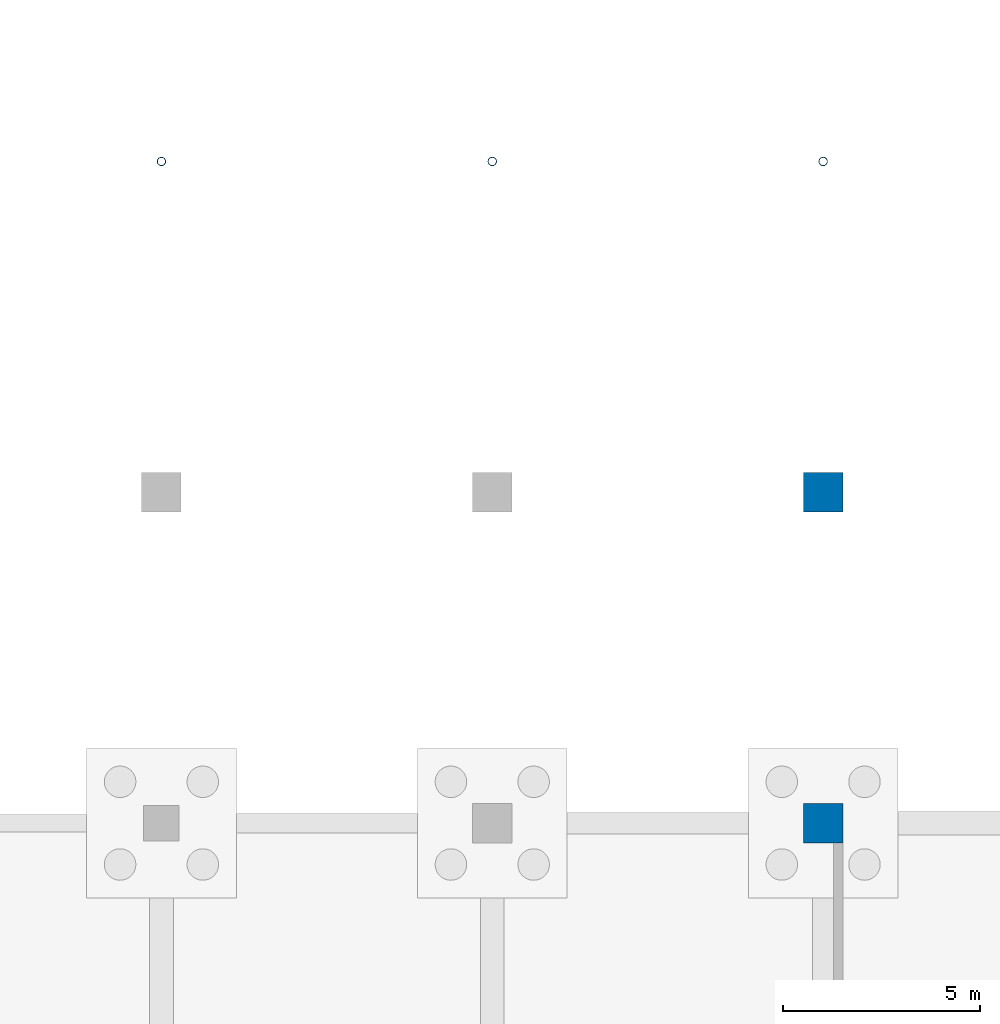
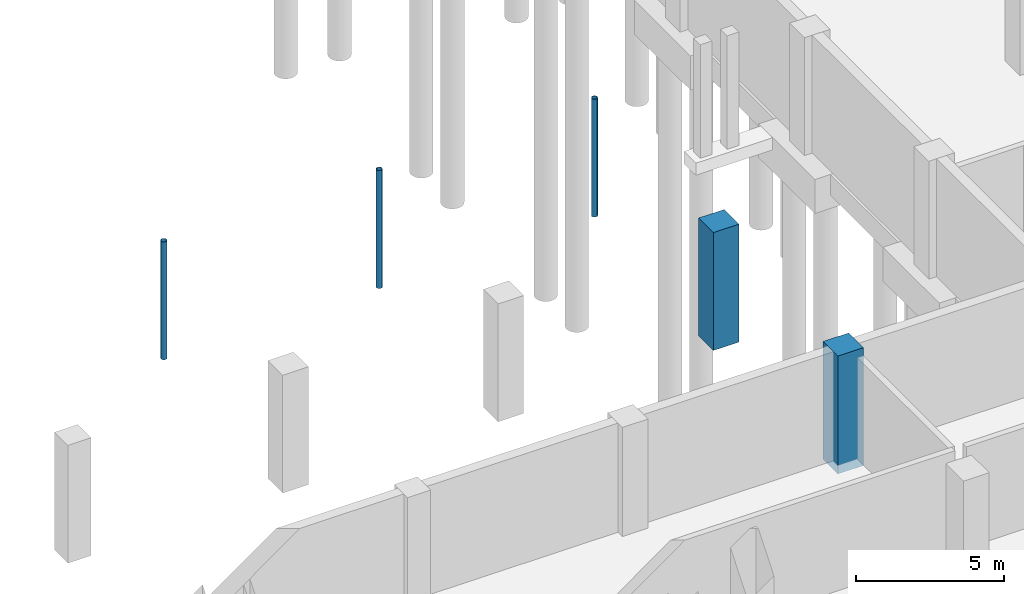
# One storey, part 17 of 39: 5 columns.
"""IFC4 building model written with IfcOpenShell, lengths in metres."""

from ifc_helpers import new_model, si_unit, derived_unit, direction, frame, origin, origin_2d, place, context, subcontext, project, spatial, rectangle, hollow_circle, extrude, material, material_profile, profile_set, type_object, element, save


model = new_model("IFC4")

# Units and contexts
model_context = context("Model", 3, precision=1e-05, world=origin(), true_north=direction((0.0, 1.0)))
body_context = subcontext(model_context, "Body", "Model", "MODEL_VIEW")
ifc_project = project(units=[si_unit("LENGTHUNIT", "METRE"), si_unit("AREAUNIT", "SQUARE_METRE"), si_unit("VOLUMEUNIT", "CUBIC_METRE"), si_unit("PLANEANGLEUNIT", "RADIAN"), si_unit("MASSUNIT", "GRAM", prefix="KILO"), derived_unit("THERMALTRANSMITTANCEUNIT", [(si_unit("POWERUNIT", "WATT"), 1), (si_unit("LENGTHUNIT", "METRE"), -2), (si_unit("THERMODYNAMICTEMPERATUREUNIT", "KELVIN"), -1)])], contexts=[model_context])

# Site, building, storey
site_placement = place(None, origin())
site = spatial("IfcSite", under=ifc_project, at=site_placement, CompositionType="ELEMENT")
building_placement = place(site_placement, origin())
building = spatial("IfcBuilding", under=site, at=building_placement, Name="Barrovel Congress Hotel", CompositionType="ELEMENT")
storey_placement = place(building_placement, frame((0.0, 0.0, -4.5)))
storey = spatial("IfcBuildingStorey", under=building, at=storey_placement, Name="B01", CompositionType="ELEMENT", Elevation=-4.5)

# Columns
ifc_material_1 = material(Name="Concrete C50", Category="concrete")
ifc_material_profile_1 = material_profile(ifc_material_1, rectangle(XDim=1.0, YDim=1.0, at=origin_2d()), Name="RC1000x1000")
ifc_profile_set_1 = profile_set([ifc_material_profile_1], Name="Concrete C50")
column_type_1 = type_object("IfcColumnType", Name="COL-RC1000x1000", PredefinedType="COLUMN", material=ifc_profile_set_1)
for number, where, z_axis, x_axis, name in (
    (1, (117.60009765625, 29.39990234375, -0.360107421875), (0.0, 0.0, 1.0), (1.0, 0.0, 0.0), "COL:B01:117.6:29.4"),
    (2, (117.60009765625, 37.800048828125, -0.360107421875), (0.0, 0.0, 1.0), (1.0, 0.0, 0.0), "COL:B01:117.6:37.8"),
):
    element("IfcColumn", number, at=place(storey_placement, frame(where, z_axis=z_axis, x_axis=x_axis)), inside=storey, type_object=column_type_1, Name=name, PredefinedType="COLUMN", context=body_context, shape_type="SweptSolid", body=[
        extrude(rectangle(XDim=1.0, YDim=1.0, at=origin_2d()), origin(), (0.0, 0.0, 1.0), 4.860107421875),
    ])
ifc_material_2 = material(Name="Steel ASTM A500 Grade C", Category="steel")
ifc_material_profile_2 = material_profile(ifc_material_2, hollow_circle(Radius=0.109619140625, WallThickness=0.0087890625, at=origin_2d()), Name="CHS219.1x9.5")
ifc_profile_set_2 = profile_set([ifc_material_profile_2], Name="Steel ASTM A500 Grade C")
column_type_2 = type_object("IfcColumnType", Name="SCOL-CHS219.1x9.5", PredefinedType="COLUMN", material=ifc_profile_set_2)
for number, where, z_axis, x_axis, name in (
    (3, (100.800048828125, 46.199951171875, -0.360107421875), (0.0, 0.0, 1.0), (1.0, 0.0, 0.0), "COL:B01:100.8:46.2"),
    (4, (109.199951171875, 46.199951171875, -0.360107421875), (0.0, 0.0, 1.0), (1.0, 0.0, 0.0), "COL:B01:109.2:46.2"),
    (5, (117.60009765625, 46.199951171875, -0.360107421875), (0.0, 0.0, 1.0), (1.0, 0.0, 0.0), "COL:B01:117.6:46.2"),
):
    element("IfcColumn", number, at=place(storey_placement, frame(where, z_axis=z_axis, x_axis=x_axis)), inside=storey, type_object=column_type_2, Name=name, PredefinedType="COLUMN", context=body_context, shape_type="SweptSolid", body=[
        extrude(hollow_circle(Radius=0.109619140625, WallThickness=0.0087890625, at=origin_2d()), origin(), (0.0, 0.0, 1.0), 4.860107421875),
    ])

save(model, "model.ifc")
